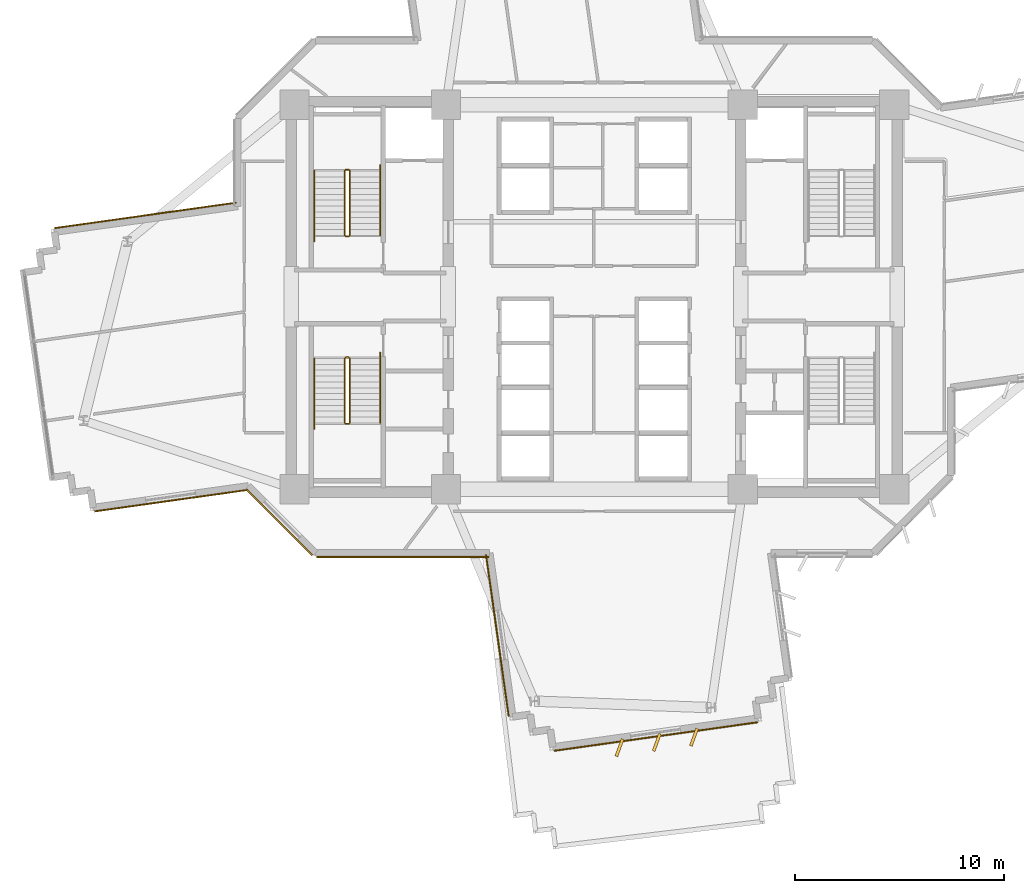
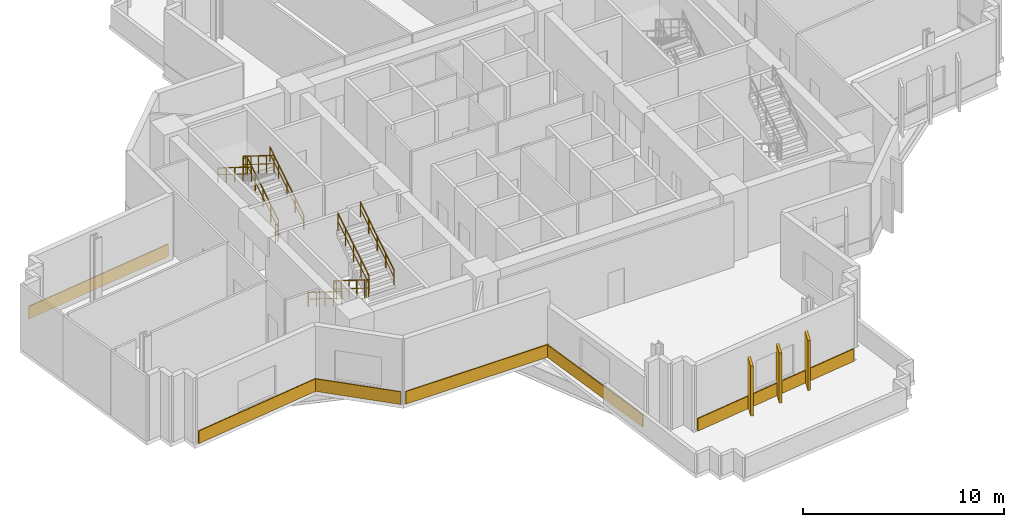
# One storey, part 11 of 13: 12 railings, 9 coverings.
"""IFC4 building model written with IfcOpenShell, lengths in metres."""

from ifc_helpers import new_model, si_unit, direction, frame, origin, origin_2d, place, context, subcontext, project, spatial, rectangle, extrude, source, transform, mapped, material, layer, layer_set, type_object, element, save


model = new_model("IFC4")

# Units and contexts
model_context = context("Model", 3, precision=1e-05, world=origin(), true_north=direction((0.0, 1.0)))
body_context = subcontext(model_context, "Body", "Model", "MODEL_VIEW")
ifc_project = project(units=[si_unit("LENGTHUNIT", "METRE"), si_unit("AREAUNIT", "SQUARE_METRE"), si_unit("VOLUMEUNIT", "CUBIC_METRE"), si_unit("PLANEANGLEUNIT", "RADIAN"), si_unit("MASSUNIT", "GRAM", prefix="KILO")], contexts=[model_context])

# Site, building, storey
site_placement = place(None, origin())
site = spatial("IfcSite", under=ifc_project, at=site_placement, CompositionType="ELEMENT")
building_placement = place(site_placement, origin())
building = spatial("IfcBuilding", under=site, at=building_placement, Name="Zahravan Cultural Tower", CompositionType="ELEMENT")
storey_placement = place(building_placement, frame((0.0, 0.0, 117.300048828125)))
storey = spatial("IfcBuildingStorey", under=building, at=storey_placement, Name="L26", CompositionType="ELEMENT", Elevation=117.300048828125)

# Railings
ifc_material_1 = material(Name="Steel ASTM A572 Grade 50", Category="steel")
railing_type_1 = type_object("IfcRailingType", Name="RL-STAIR-GRD1150", PredefinedType="BALUSTRADE", material=ifc_material_1)
railing_1_placement = place(storey_placement, frame((24.300048828125, 29.949951171875, 0.175048828125)))
element("IfcRailing", 1, at=railing_1_placement, inside=storey, type_object=railing_type_1, Name="L26 ST-W1 stair guard 1", PredefinedType="BALUSTRADE", context=body_context, shape_type="SweptSolid", body=[
    extrude(rectangle(XDim=0.05, YDim=0.05, at=origin_2d()), frame((0.0, 0.0, 1.0751953125), z_axis=(0.0, 0.848028513186, 0.529950602248), x_axis=(-1.0, 0.0, 0.0)), (0.0, 0.0, 1.0), 3.632080078125),
    extrude(rectangle(XDim=0.032, YDim=0.032, at=origin_2d()), frame((0.0, 0.0, 0.572021484375), z_axis=(0.0, 0.848028513186, 0.529950602248), x_axis=(-1.0, 0.0, 0.0)), (0.0, 0.0, 1.0), 3.632080078125),
    extrude(rectangle(XDim=0.04, YDim=0.04, at=origin_2d()), origin(), (0.0, 0.0, 1.0), 1.10009765625),
    extrude(rectangle(XDim=0.04, YDim=0.04, at=origin_2d()), frame((0.0, 0.77001953125, 0.481201171875)), (0.0, 0.0, 1.0), 1.10009765625),
    extrude(rectangle(XDim=0.04, YDim=0.04, at=origin_2d()), frame((0.0, 1.5400390625, 0.96240234375)), (0.0, 0.0, 1.0), 1.10009765625),
    extrude(rectangle(XDim=0.04, YDim=0.04, at=origin_2d()), frame((0.0, 2.31005859375, 1.443603515625)), (0.0, 0.0, 1.0), 1.10009765625),
    extrude(rectangle(XDim=0.04, YDim=0.04, at=origin_2d()), frame((0.0, 3.080078125, 1.9248046875)), (0.0, 0.0, 1.0), 1.10009765625),
])
railing_2_placement = place(storey_placement, frame((24.25, 33.080078125, 2.099853515625)))
element("IfcRailing", 2, at=railing_2_placement, inside=storey, type_object=railing_type_1, Name="L26 ST-W1 stair guard 2", PredefinedType="BALUSTRADE", context=body_context, shape_type="SweptSolid", body=[
    extrude(rectangle(XDim=0.05, YDim=0.05, at=origin_2d()), frame((0.0, 0.0, 1.0751953125), z_axis=(-1.0, 0.0, 0.0), x_axis=(0.0, -1.0, 0.0)), (0.0, 0.0, 1.0), 0.14990234375),
    extrude(rectangle(XDim=0.032, YDim=0.032, at=origin_2d()), frame((0.0, 0.0, 0.572021484375), z_axis=(-1.0, 0.0, 0.0), x_axis=(0.0, -1.0, 0.0)), (0.0, 0.0, 1.0), 0.14990234375),
    extrude(rectangle(XDim=0.04, YDim=0.04, at=origin_2d()), origin(), (0.0, 0.0, 1.0), 1.10009765625),
    extrude(rectangle(XDim=0.04, YDim=0.04, at=origin_2d()), frame((-0.14990234375, 0.0, 0.0)), (0.0, 0.0, 1.0), 1.10009765625),
])
railing_3_placement = place(storey_placement, frame((24.050048828125, 33.030029296875, 2.27490234375)))
element("IfcRailing", 3, at=railing_3_placement, inside=storey, type_object=railing_type_1, Name="L26 ST-W1 stair guard 3", PredefinedType="BALUSTRADE", context=body_context, shape_type="SweptSolid", body=[
    extrude(rectangle(XDim=0.05, YDim=0.05, at=origin_2d()), frame((0.0, 0.0, 1.0751953125), z_axis=(0.0, -0.847998304005, 0.529998940003), x_axis=(1.0, 0.0, 0.0)), (0.0, 0.0, 1.0), 3.632080078125),
    extrude(rectangle(XDim=0.032, YDim=0.032, at=origin_2d()), frame((0.0, 0.0, 0.572021484375), z_axis=(0.0, -0.847998304005, 0.529998940003), x_axis=(1.0, 0.0, 0.0)), (0.0, 0.0, 1.0), 3.632080078125),
    extrude(rectangle(XDim=0.04, YDim=0.04, at=origin_2d()), origin(), (0.0, 0.0, 1.0), 1.10009765625),
    extrude(rectangle(XDim=0.04, YDim=0.04, at=origin_2d()), frame((0.0, -0.77001953125, 0.481201171875)), (0.0, 0.0, 1.0), 1.10009765625),
    extrude(rectangle(XDim=0.04, YDim=0.04, at=origin_2d()), frame((0.0, -1.5400390625, 0.96240234375)), (0.0, 0.0, 1.0), 1.10009765625),
    extrude(rectangle(XDim=0.04, YDim=0.04, at=origin_2d()), frame((0.0, -2.31005859375, 1.44384765625)), (0.0, 0.0, 1.0), 1.10009765625),
    extrude(rectangle(XDim=0.04, YDim=0.04, at=origin_2d()), frame((0.0, -3.080078125, 1.925048828125)), (0.0, 0.0, 1.0), 1.10009765625),
])
railing_4_placement = place(storey_placement, frame((24.25, 29.89990234375, 0.0)))
element("IfcRailing", 4, at=railing_4_placement, inside=storey, type_object=railing_type_1, Name="L26 ST-W1 stair guard 4", PredefinedType="BALUSTRADE", context=body_context, shape_type="SweptSolid", body=[
    extrude(rectangle(XDim=0.05, YDim=0.05, at=origin_2d()), frame((0.0, 0.0, 1.0751953125), z_axis=(-1.0, 0.0, 0.0), x_axis=(0.0, -1.0, 0.0)), (0.0, 0.0, 1.0), 0.14990234375),
    extrude(rectangle(XDim=0.032, YDim=0.032, at=origin_2d()), frame((0.0, 0.0, 0.572021484375), z_axis=(-1.0, 0.0, 0.0), x_axis=(0.0, -1.0, 0.0)), (0.0, 0.0, 1.0), 0.14990234375),
    extrude(rectangle(XDim=0.04, YDim=0.04, at=origin_2d()), origin(), (0.0, 0.0, 1.0), 1.10009765625),
    extrude(rectangle(XDim=0.04, YDim=0.04, at=origin_2d()), frame((-0.14990234375, 0.0, 0.0)), (0.0, 0.0, 1.0), 1.10009765625),
])
railing_5_placement = place(storey_placement, frame((24.050048828125, 24.050048828125, 0.175048828125)))
element("IfcRailing", 5, at=railing_5_placement, inside=storey, type_object=railing_type_1, Name="L26 ST-W2 stair guard 1", PredefinedType="BALUSTRADE", context=body_context, shape_type="SweptSolid", body=[
    extrude(rectangle(XDim=0.05, YDim=0.05, at=origin_2d()), frame((0.0, 0.0, 1.0751953125), z_axis=(0.0, -0.848028513186, 0.529950602248), x_axis=(1.0, 0.0, 0.0)), (0.0, 0.0, 1.0), 3.632080078125),
    extrude(rectangle(XDim=0.032, YDim=0.032, at=origin_2d()), frame((0.0, 0.0, 0.572021484375), z_axis=(0.0, -0.848028513186, 0.529950602248), x_axis=(1.0, 0.0, 0.0)), (0.0, 0.0, 1.0), 3.632080078125),
    extrude(rectangle(XDim=0.04, YDim=0.04, at=origin_2d()), origin(), (0.0, 0.0, 1.0), 1.10009765625),
    extrude(rectangle(XDim=0.04, YDim=0.04, at=origin_2d()), frame((0.0, -0.77001953125, 0.481201171875)), (0.0, 0.0, 1.0), 1.10009765625),
    extrude(rectangle(XDim=0.04, YDim=0.04, at=origin_2d()), frame((0.0, -1.5400390625, 0.96240234375)), (0.0, 0.0, 1.0), 1.10009765625),
    extrude(rectangle(XDim=0.04, YDim=0.04, at=origin_2d()), frame((0.0, -2.31005859375, 1.443603515625)), (0.0, 0.0, 1.0), 1.10009765625),
    extrude(rectangle(XDim=0.04, YDim=0.04, at=origin_2d()), frame((0.0, -3.080078125, 1.9248046875)), (0.0, 0.0, 1.0), 1.10009765625),
])
railing_6_placement = place(storey_placement, frame((24.10009765625, 20.919921875, 2.099853515625)))
element("IfcRailing", 6, at=railing_6_placement, inside=storey, type_object=railing_type_1, Name="L26 ST-W2 stair guard 2", PredefinedType="BALUSTRADE", context=body_context, shape_type="SweptSolid", body=[
    extrude(rectangle(XDim=0.05, YDim=0.05, at=origin_2d()), frame((0.0, 0.0, 1.0751953125), z_axis=(1.0, 0.0, 0.0), x_axis=(0.0, 1.0, 0.0)), (0.0, 0.0, 1.0), 0.14990234375),
    extrude(rectangle(XDim=0.032, YDim=0.032, at=origin_2d()), frame((0.0, 0.0, 0.572021484375), z_axis=(1.0, 0.0, 0.0), x_axis=(0.0, 1.0, 0.0)), (0.0, 0.0, 1.0), 0.14990234375),
    extrude(rectangle(XDim=0.04, YDim=0.04, at=origin_2d()), origin(), (0.0, 0.0, 1.0), 1.10009765625),
    extrude(rectangle(XDim=0.04, YDim=0.04, at=origin_2d()), frame((0.14990234375, 0.0, 0.0)), (0.0, 0.0, 1.0), 1.10009765625),
])
railing_7_placement = place(storey_placement, frame((24.300048828125, 20.969970703125, 2.27490234375)))
element("IfcRailing", 7, at=railing_7_placement, inside=storey, type_object=railing_type_1, Name="L26 ST-W2 stair guard 3", PredefinedType="BALUSTRADE", context=body_context, shape_type="SweptSolid", body=[
    extrude(rectangle(XDim=0.05, YDim=0.05, at=origin_2d()), frame((0.0, 0.0, 1.0751953125), z_axis=(0.0, 0.847998304005, 0.529998940003), x_axis=(-1.0, 0.0, 0.0)), (0.0, 0.0, 1.0), 3.632080078125),
    extrude(rectangle(XDim=0.032, YDim=0.032, at=origin_2d()), frame((0.0, 0.0, 0.572021484375), z_axis=(0.0, 0.847998304005, 0.529998940003), x_axis=(-1.0, 0.0, 0.0)), (0.0, 0.0, 1.0), 3.632080078125),
    extrude(rectangle(XDim=0.04, YDim=0.04, at=origin_2d()), origin(), (0.0, 0.0, 1.0), 1.10009765625),
    extrude(rectangle(XDim=0.04, YDim=0.04, at=origin_2d()), frame((0.0, 0.77001953125, 0.481201171875)), (0.0, 0.0, 1.0), 1.10009765625),
    extrude(rectangle(XDim=0.04, YDim=0.04, at=origin_2d()), frame((0.0, 1.5400390625, 0.96240234375)), (0.0, 0.0, 1.0), 1.10009765625),
    extrude(rectangle(XDim=0.04, YDim=0.04, at=origin_2d()), frame((0.0, 2.31005859375, 1.44384765625)), (0.0, 0.0, 1.0), 1.10009765625),
    extrude(rectangle(XDim=0.04, YDim=0.04, at=origin_2d()), frame((0.0, 3.080078125, 1.925048828125)), (0.0, 0.0, 1.0), 1.10009765625),
])
railing_8_placement = place(storey_placement, frame((24.10009765625, 24.10009765625, 0.0)))
element("IfcRailing", 8, at=railing_8_placement, inside=storey, type_object=railing_type_1, Name="L26 ST-W2 stair guard 4", PredefinedType="BALUSTRADE", context=body_context, shape_type="SweptSolid", body=[
    extrude(rectangle(XDim=0.05, YDim=0.05, at=origin_2d()), frame((0.0, 0.0, 1.0751953125), z_axis=(1.0, 0.0, 0.0), x_axis=(0.0, 1.0, 0.0)), (0.0, 0.0, 1.0), 0.14990234375),
    extrude(rectangle(XDim=0.032, YDim=0.032, at=origin_2d()), frame((0.0, 0.0, 0.572021484375), z_axis=(1.0, 0.0, 0.0), x_axis=(0.0, 1.0, 0.0)), (0.0, 0.0, 1.0), 0.14990234375),
    extrude(rectangle(XDim=0.04, YDim=0.04, at=origin_2d()), origin(), (0.0, 0.0, 1.0), 1.10009765625),
    extrude(rectangle(XDim=0.04, YDim=0.04, at=origin_2d()), frame((0.14990234375, 0.0, 0.0)), (0.0, 0.0, 1.0), 1.10009765625),
])
railing_type_2 = type_object("IfcRailingType", Name="RL-STAIR-HR900", PredefinedType="HANDRAIL", material=ifc_material_1)
railing_9_placement = place(storey_placement, frame((25.75, 29.949951171875, 0.175048828125)))
element("IfcRailing", 9, at=railing_9_placement, inside=storey, type_object=railing_type_2, Name="L26 ST-W1 stair handrail 1", PredefinedType="HANDRAIL", context=body_context, shape_type="SweptSolid", body=[
    extrude(rectangle(XDim=0.05, YDim=0.05, at=origin_2d()), frame((0.0, 0.0, 0.875), z_axis=(0.0, 0.848022534174, 0.529960169762), x_axis=(-1.0, 0.0, 0.0)), (0.0, 0.0, 1.0), 3.96240234375),
    extrude(rectangle(XDim=0.032, YDim=0.032, at=origin_2d()), frame((0.0, 0.0, 0.468017578125), z_axis=(0.0, 0.848022534174, 0.529960169762), x_axis=(-1.0, 0.0, 0.0)), (0.0, 0.0, 1.0), 3.96240234375),
    extrude(rectangle(XDim=0.04, YDim=0.04, at=origin_2d()), origin(), (0.0, 0.0, 1.0), 0.89990234375),
    extrude(rectangle(XDim=0.04, YDim=0.04, at=origin_2d()), frame((0.0, 0.840087890625, 0.52490234375)), (0.0, 0.0, 1.0), 0.89990234375),
    extrude(rectangle(XDim=0.04, YDim=0.04, at=origin_2d()), frame((0.0, 1.68017578125, 1.0498046875)), (0.0, 0.0, 1.0), 0.89990234375),
    extrude(rectangle(XDim=0.04, YDim=0.04, at=origin_2d()), frame((0.0, 2.52001953125, 1.574951171875)), (0.0, 0.0, 1.0), 0.89990234375),
    extrude(rectangle(XDim=0.04, YDim=0.04, at=origin_2d()), frame((0.0, 3.360107421875, 2.099853515625)), (0.0, 0.0, 1.0), 0.89990234375),
])
railing_10_placement = place(storey_placement, frame((22.60009765625, 33.030029296875, 2.27490234375)))
element("IfcRailing", 10, at=railing_10_placement, inside=storey, type_object=railing_type_2, Name="L26 ST-W1 stair handrail 2", PredefinedType="HANDRAIL", context=body_context, shape_type="SweptSolid", body=[
    extrude(rectangle(XDim=0.05, YDim=0.05, at=origin_2d()), frame((0.0, 0.0, 0.875), z_axis=(0.0, -0.847994842521, 0.530004478338), x_axis=(1.0, 0.0, 0.0)), (0.0, 0.0, 1.0), 3.96240234375),
    extrude(rectangle(XDim=0.032, YDim=0.032, at=origin_2d()), frame((0.0, 0.0, 0.468017578125), z_axis=(0.0, -0.847994842521, 0.530004478338), x_axis=(1.0, 0.0, 0.0)), (0.0, 0.0, 1.0), 3.96240234375),
    extrude(rectangle(XDim=0.04, YDim=0.04, at=origin_2d()), origin(), (0.0, 0.0, 1.0), 0.89990234375),
    extrude(rectangle(XDim=0.04, YDim=0.04, at=origin_2d()), frame((0.0, -0.840087890625, 0.52490234375)), (0.0, 0.0, 1.0), 0.89990234375),
    extrude(rectangle(XDim=0.04, YDim=0.04, at=origin_2d()), frame((0.0, -1.68017578125, 1.050048828125)), (0.0, 0.0, 1.0), 0.89990234375),
    extrude(rectangle(XDim=0.04, YDim=0.04, at=origin_2d()), frame((0.0, -2.52001953125, 1.5751953125)), (0.0, 0.0, 1.0), 0.89990234375),
    extrude(rectangle(XDim=0.04, YDim=0.04, at=origin_2d()), frame((0.0, -3.360107421875, 2.10009765625)), (0.0, 0.0, 1.0), 0.89990234375),
])
railing_11_placement = place(storey_placement, frame((22.60009765625, 24.050048828125, 0.175048828125)))
element("IfcRailing", 11, at=railing_11_placement, inside=storey, type_object=railing_type_2, Name="L26 ST-W2 stair handrail 1", PredefinedType="HANDRAIL", context=body_context, shape_type="SweptSolid", body=[
    extrude(rectangle(XDim=0.05, YDim=0.05, at=origin_2d()), frame((0.0, 0.0, 0.875), z_axis=(0.0, -0.848022534174, 0.529960169762), x_axis=(1.0, 0.0, 0.0)), (0.0, 0.0, 1.0), 3.96240234375),
    extrude(rectangle(XDim=0.032, YDim=0.032, at=origin_2d()), frame((0.0, 0.0, 0.468017578125), z_axis=(0.0, -0.848022534174, 0.529960169762), x_axis=(1.0, 0.0, 0.0)), (0.0, 0.0, 1.0), 3.96240234375),
    extrude(rectangle(XDim=0.04, YDim=0.04, at=origin_2d()), origin(), (0.0, 0.0, 1.0), 0.89990234375),
    extrude(rectangle(XDim=0.04, YDim=0.04, at=origin_2d()), frame((0.0, -0.840087890625, 0.52490234375)), (0.0, 0.0, 1.0), 0.89990234375),
    extrude(rectangle(XDim=0.04, YDim=0.04, at=origin_2d()), frame((0.0, -1.68017578125, 1.0498046875)), (0.0, 0.0, 1.0), 0.89990234375),
    extrude(rectangle(XDim=0.04, YDim=0.04, at=origin_2d()), frame((0.0, -2.52001953125, 1.574951171875)), (0.0, 0.0, 1.0), 0.89990234375),
    extrude(rectangle(XDim=0.04, YDim=0.04, at=origin_2d()), frame((0.0, -3.360107421875, 2.099853515625)), (0.0, 0.0, 1.0), 0.89990234375),
])
railing_12_placement = place(storey_placement, frame((25.75, 20.969970703125, 2.27490234375)))
element("IfcRailing", 12, at=railing_12_placement, inside=storey, type_object=railing_type_2, Name="L26 ST-W2 stair handrail 2", PredefinedType="HANDRAIL", context=body_context, shape_type="SweptSolid", body=[
    extrude(rectangle(XDim=0.05, YDim=0.05, at=origin_2d()), frame((0.0, 0.0, 0.875), z_axis=(0.0, 0.847994842521, 0.530004478338), x_axis=(-1.0, 0.0, 0.0)), (0.0, 0.0, 1.0), 3.96240234375),
    extrude(rectangle(XDim=0.032, YDim=0.032, at=origin_2d()), frame((0.0, 0.0, 0.468017578125), z_axis=(0.0, 0.847994842521, 0.530004478338), x_axis=(-1.0, 0.0, 0.0)), (0.0, 0.0, 1.0), 3.96240234375),
    extrude(rectangle(XDim=0.04, YDim=0.04, at=origin_2d()), origin(), (0.0, 0.0, 1.0), 0.89990234375),
    extrude(rectangle(XDim=0.04, YDim=0.04, at=origin_2d()), frame((0.0, 0.840087890625, 0.52490234375)), (0.0, 0.0, 1.0), 0.89990234375),
    extrude(rectangle(XDim=0.04, YDim=0.04, at=origin_2d()), frame((0.0, 1.68017578125, 1.050048828125)), (0.0, 0.0, 1.0), 0.89990234375),
    extrude(rectangle(XDim=0.04, YDim=0.04, at=origin_2d()), frame((0.0, 2.52001953125, 1.5751953125)), (0.0, 0.0, 1.0), 0.89990234375),
    extrude(rectangle(XDim=0.04, YDim=0.04, at=origin_2d()), frame((0.0, 3.360107421875, 2.10009765625)), (0.0, 0.0, 1.0), 0.89990234375),
])

# Coverings
ifc_material_2 = material(Name="Terracotta ceramic cladding", Category="masonry")
ifc_layer = layer(ifc_material_2, 0.06005859375)
ifc_layer_set = layer_set([ifc_layer], Name="Terracotta ceramic cladding")
covering_type = type_object("IfcCoveringType", Name="COV-CLAD-TC60", PredefinedType="CLADDING", material=ifc_layer_set)
shared_shape_1 = source(origin(), body_context, "Body", "SweptSolid", [
    extrude(rectangle(XDim=9.820068359375, YDim=0.06005859375, at=origin_2d()), origin(), (0.0, 0.0, 1.0), 0.760009765625),
])
covering_1_placement = place(storey_placement, frame((38.949462890625, 5.960693359375, 0.02001953125), z_axis=(0.0, 0.0, 1.0), x_axis=(-0.990316588987, -0.138827423723, 0.0)))
element("IfcCovering", 13, at=covering_1_placement, inside=storey, type_object=covering_type, Name="L26 Terracotta Spandrel Cladding 19", PredefinedType="CLADDING", context=body_context, shape_type="MappedRepresentation", body=[
    mapped(shared_shape_1, transform((0.0, 0.0, 0.0), x_axis=(1.0, 0.0, 0.0), y_axis=(0.0, 1.0, 0.0), z_axis=(0.0, 0.0, 1.0), scale=1.0)),
])
shared_shape_2 = source(origin(), body_context, "Body", "SweptSolid", [
    extrude(rectangle(XDim=0.8798828125, YDim=0.139892578125, at=origin_2d()), origin(), (0.0, 0.0, 1.0), 3.030029296875),
])
for number, where, z_axis, x_axis, name in (
    (14, (40.771484375, 5.928466796875, 0.0498046875), (0.0, 0.0, 1.0), (-0.342348137086, -0.939573175987, 0.0), "L26 Herringbone Terracotta Fin 14"),
    (15, (38.989013671875, 5.678466796875, 0.0498046875), (0.0, 0.0, 1.0), (-0.342348137086, -0.939573175987, 0.0), "L26 Herringbone Terracotta Fin 15"),
    (16, (37.206298828125, 5.4287109375, 0.0498046875), (0.0, 0.0, 1.0), (-0.342348137086, -0.939573175987, 0.0), "L26 Herringbone Terracotta Fin 16"),
):
    element("IfcCovering", number, at=place(storey_placement, frame(where, z_axis=z_axis, x_axis=x_axis)), inside=storey, type_object=covering_type, Name=name, PredefinedType="CLADDING", context=body_context, shape_type="MappedRepresentation", body=[
        mapped(shared_shape_2, transform((0.0, 0.0, 0.0), x_axis=(1.0, 0.0, 0.0), y_axis=(0.0, 1.0, 0.0), z_axis=(0.0, 0.0, 1.0), scale=1.0)),
    ])
shared_shape_3 = source(origin(), body_context, "Body", "SweptSolid", [
    extrude(rectangle(XDim=7.40869140625, YDim=0.06005859375, at=origin_2d()), origin(), (0.0, 0.0, 1.0), 0.760009765625),
])
covering_2_placement = place(storey_placement, frame((15.751708984375, 17.24951171875, 0.02001953125), z_axis=(0.0, 0.0, 1.0), x_axis=(-0.990319011832, -0.138810139416, 0.0)))
element("IfcCovering", 17, at=covering_2_placement, inside=storey, type_object=covering_type, Name="L26 Terracotta Spandrel Cladding 27", PredefinedType="CLADDING", context=body_context, shape_type="MappedRepresentation", body=[
    mapped(shared_shape_3, transform((0.0, 0.0, 0.0), x_axis=(1.0, 0.0, 0.0), y_axis=(0.0, 1.0, 0.0), z_axis=(0.0, 0.0, 1.0), scale=1.0)),
])
shared_shape_4 = source(origin(), body_context, "Body", "SweptSolid", [
    extrude(rectangle(XDim=8.766845703125, YDim=0.06005859375, at=origin_2d()), origin(), (0.0, 0.0, 1.0), 0.760009765625),
])
covering_3_placement = place(storey_placement, frame((14.52392578125, 30.9013671875, 0.02001953125), z_axis=(0.0, 0.0, 1.0), x_axis=(0.990316588987, 0.138827423723, 0.0)))
element("IfcCovering", 18, at=covering_3_placement, inside=storey, type_object=covering_type, Name="L26 Terracotta Spandrel Cladding 36", PredefinedType="CLADDING", context=body_context, shape_type="MappedRepresentation", body=[
    mapped(shared_shape_4, transform((0.0, 0.0, 0.0), x_axis=(1.0, 0.0, 0.0), y_axis=(0.0, 1.0, 0.0), z_axis=(0.0, 0.0, 1.0), scale=1.0)),
])
shared_shape_5 = source(origin(), body_context, "Body", "SweptSolid", [
    extrude(rectangle(XDim=7.813720703125, YDim=0.06005859375, at=origin_2d()), origin(), (0.0, 0.0, 1.0), 0.760009765625),
])
covering_4_placement = place(storey_placement, frame((31.359619140625, 10.7958984375, 0.02001953125), z_axis=(0.0, 0.0, 1.0), x_axis=(-0.138827423723, 0.990316588987, 0.0)))
element("IfcCovering", 19, at=covering_4_placement, inside=storey, type_object=covering_type, Name="L26 Terracotta Spandrel Cladding 24", PredefinedType="CLADDING", context=body_context, shape_type="MappedRepresentation", body=[
    mapped(shared_shape_5, transform((0.0, 0.0, 0.0), x_axis=(1.0, 0.0, 0.0), y_axis=(0.0, 1.0, 0.0), z_axis=(0.0, 0.0, 1.0), scale=1.0)),
])
shared_shape_6 = source(origin(), body_context, "Body", "SweptSolid", [
    extrude(rectangle(XDim=8.235595703125, YDim=0.06005859375, at=origin_2d()), origin(), (0.0, 0.0, 1.0), 0.760009765625),
])
covering_5_placement = place(storey_placement, frame((26.82568359375, 14.554931640625, 0.02001953125), z_axis=(0.0, 0.0, 1.0), x_axis=(-1.0, 0.0, 0.0)))
element("IfcCovering", 20, at=covering_5_placement, inside=storey, type_object=covering_type, Name="L26 Terracotta Spandrel Cladding 25", PredefinedType="CLADDING", context=body_context, shape_type="MappedRepresentation", body=[
    mapped(shared_shape_6, transform((0.0, 0.0, 0.0), x_axis=(1.0, 0.0, 0.0), y_axis=(0.0, 1.0, 0.0), z_axis=(0.0, 0.0, 1.0), scale=1.0)),
])
shared_shape_7 = source(origin(), body_context, "Body", "SweptSolid", [
    extrude(rectangle(XDim=4.445068359375, YDim=0.06005859375, at=origin_2d()), origin(), (0.0, 0.0, 1.0), 0.760009765625),
])
covering_6_placement = place(storey_placement, frame((20.920166015625, 16.216064453125, 0.02001953125), z_axis=(0.0, 0.0, 1.0), x_axis=(-0.707106781187, 0.707106781187, 0.0)))
element("IfcCovering", 21, at=covering_6_placement, inside=storey, type_object=covering_type, Name="L26 Terracotta Spandrel Cladding 26", PredefinedType="CLADDING", context=body_context, shape_type="MappedRepresentation", body=[
    mapped(shared_shape_7, transform((0.0, 0.0, 0.0), x_axis=(1.0, 0.0, 0.0), y_axis=(0.0, 1.0, 0.0), z_axis=(0.0, 0.0, 1.0), scale=1.0)),
])

save(model, "model.ifc")
